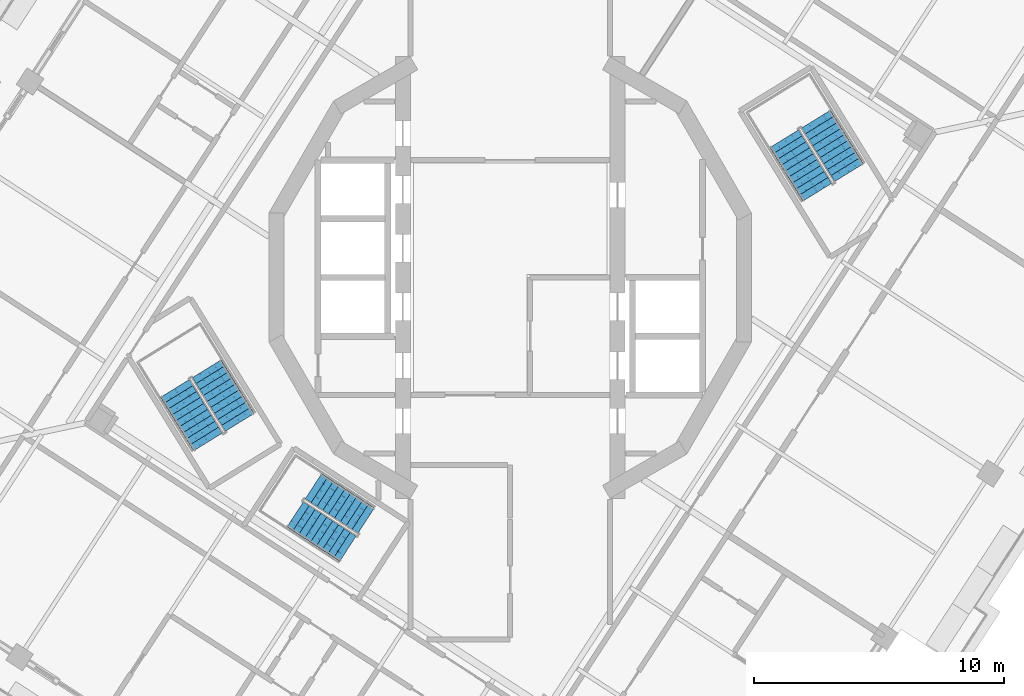
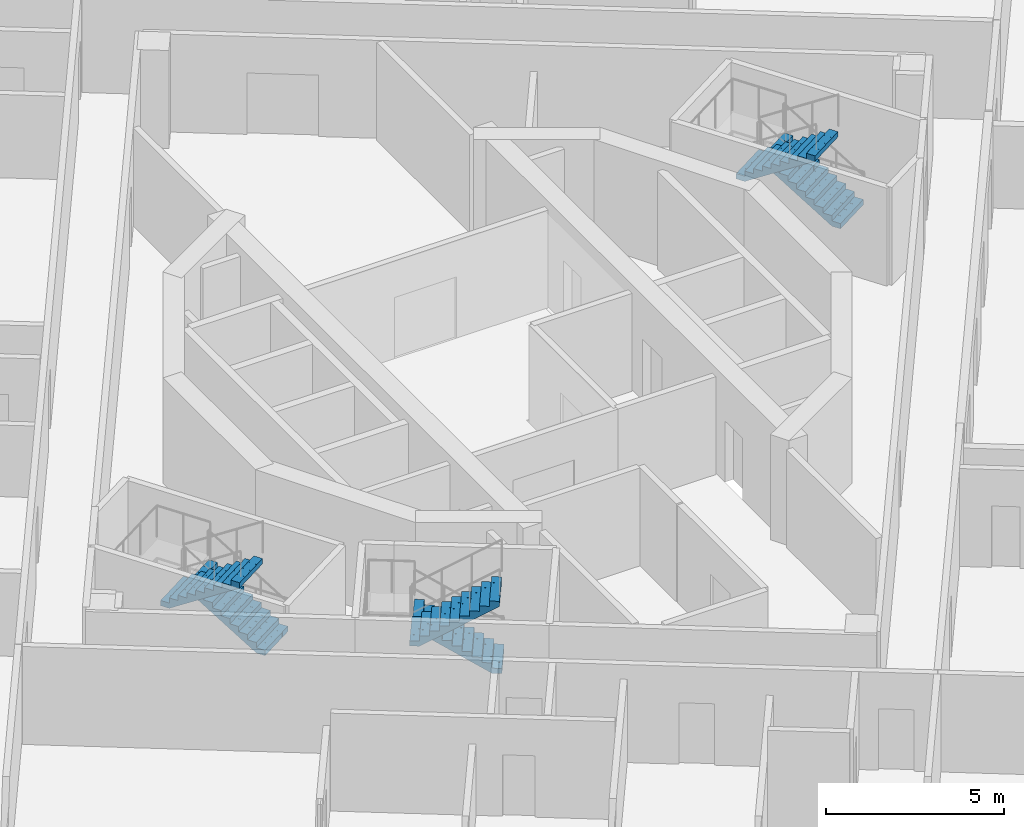
# One storey, part 10 of 15: 6 stair flights, 3 elements without a shape of their own.
"""IFC4 building model written with IfcOpenShell, lengths in metres."""

from ifc_helpers import new_model, si_unit, direction, frame, origin, place, context, subcontext, project, spatial, polyline, outline, extrude, material, type_object, element, aggregate, save


model = new_model("IFC4")

# Units and contexts
model_context = context("Model", 3, precision=1e-05, world=origin(), true_north=direction((0.0, 1.0)))
body_context = subcontext(model_context, "Body", "Model", "MODEL_VIEW")
ifc_project = project(units=[si_unit("LENGTHUNIT", "METRE"), si_unit("AREAUNIT", "SQUARE_METRE"), si_unit("VOLUMEUNIT", "CUBIC_METRE"), si_unit("PLANEANGLEUNIT", "RADIAN"), si_unit("MASSUNIT", "GRAM", prefix="KILO")], contexts=[model_context])

# Site, building, storey
site_placement = place(None, origin())
site = spatial("IfcSite", under=ifc_project, at=site_placement, CompositionType="ELEMENT")
building_placement = place(site_placement, origin())
building = spatial("IfcBuilding", under=site, at=building_placement, Name="Cantera Rosa Tower", CompositionType="ELEMENT")
storey_placement = place(building_placement, frame((0.0, 0.0, 261.300048828125)))
storey = spatial("IfcBuildingStorey", under=building, at=storey_placement, Name="L58", CompositionType="ELEMENT", Elevation=261.300048828125)

# Stair, stair flights
ifc_material_1 = material(Name="Concrete C35/45", Category="concrete")
stair_type_1 = type_object("IfcStairType", Name="EXIT STAIR 1200 DOGLEG", PredefinedType="HALF_TURN_STAIR", material=ifc_material_1)
stair_1_placement = place(storey_placement, origin())
stair_1 = element("IfcStair", 1, at=stair_1_placement, inside=storey, type_object=stair_type_1, Name="L58 ST-53", PredefinedType="HALF_TURN_STAIR")
ifc_material_2 = material(Name="Concrete C35/45", Category="concrete")
stair_flight_type_1 = type_object("IfcStairFlightType", Name="STAIR FLIGHT 1200 R20x180", PredefinedType="STRAIGHT", material=ifc_material_2)
stair_flight_1_placement = place(storey_placement, frame((-5.76318359375, -9.728271484375, 0.0), z_axis=(0.0, 0.0, 1.0), x_axis=(-0.838670567945, 0.544639035015, 0.0)))
stair_flight_1 = element("IfcStairFlight", 2, at=stair_flight_1_placement, type_object=stair_flight_type_1, Name="ST-53 flight 1", NumberOfRisers=10, NumberOfTreads=9, PredefinedType="STRAIGHT", RiserHeight=0.18, TreadLength=0.28, context=body_context, shape_type="SweptSolid", body=[
    extrude(outline(polyline([(0.0, 0.0), (0.0, 0.179931640625), (0.280029296875, 0.179931640625), (0.280029296875, 0.360107421875), (0.56005859375, 0.360107421875), (0.56005859375, 0.5400390625), (0.840087890625, 0.5400390625), (0.840087890625, 0.719970703125), (1.1201171875, 0.719970703125), (1.1201171875, 0.89990234375), (1.39990234375, 0.89990234375), (1.39990234375, 1.080078125), (1.679931640625, 1.080078125), (1.679931640625, 1.260009765625), (1.9599609375, 1.260009765625), (1.9599609375, 1.43994140625), (2.239990234375, 1.43994140625), (2.239990234375, 1.6201171875), (2.52001953125, 1.6201171875), (2.52001953125, 1.800048828125), (2.52001953125, 1.44189453125), (0.277099609375, 0.0), (0.0, 0.0)])), frame((0.0, 0.60009765625, 0.0), z_axis=(0.0, -1.0, 0.0), x_axis=(1.0, 0.0, 0.0)), (0.0, 0.0, 1.0), 0.298583984375),
    extrude(outline(polyline([(0.0, 0.0), (0.0, 0.179931640625), (0.280029296875, 0.179931640625), (0.280029296875, 0.360107421875), (0.56005859375, 0.360107421875), (0.56005859375, 0.5400390625), (0.840087890625, 0.5400390625), (0.840087890625, 0.719970703125), (1.1201171875, 0.719970703125), (1.1201171875, 0.89990234375), (1.39990234375, 0.89990234375), (1.39990234375, 1.080078125), (1.679931640625, 1.080078125), (1.679931640625, 1.260009765625), (1.9599609375, 1.260009765625), (1.9599609375, 1.43994140625), (2.239990234375, 1.43994140625), (2.239990234375, 1.6201171875), (2.52001953125, 1.6201171875), (2.52001953125, 1.800048828125), (2.52001953125, 1.44189453125), (0.277099609375, 0.0), (0.0, 0.0)])), frame((0.0, 0.29931640625, 0.0), z_axis=(0.0, -1.0, 0.0), x_axis=(1.0, 0.0, 0.0)), (0.0, 0.0, 1.0), 0.298583984375),
    extrude(outline(polyline([(0.0, 0.0), (0.0, 0.179931640625), (0.280029296875, 0.179931640625), (0.280029296875, 0.360107421875), (0.56005859375, 0.360107421875), (0.56005859375, 0.5400390625), (0.840087890625, 0.5400390625), (0.840087890625, 0.719970703125), (1.1201171875, 0.719970703125), (1.1201171875, 0.89990234375), (1.39990234375, 0.89990234375), (1.39990234375, 1.080078125), (1.679931640625, 1.080078125), (1.679931640625, 1.260009765625), (1.9599609375, 1.260009765625), (1.9599609375, 1.43994140625), (2.239990234375, 1.43994140625), (2.239990234375, 1.6201171875), (2.52001953125, 1.6201171875), (2.52001953125, 1.800048828125), (2.52001953125, 1.44189453125), (0.277099609375, 0.0), (0.0, 0.0)])), frame((0.0, -0.0009765625, 0.0), z_axis=(0.0, -1.0, 0.0), x_axis=(1.0, 0.0, 0.0)), (0.0, 0.0, 1.0), 0.298583984375),
    extrude(outline(polyline([(0.0, 0.0), (0.0, 0.179931640625), (0.280029296875, 0.179931640625), (0.280029296875, 0.360107421875), (0.56005859375, 0.360107421875), (0.56005859375, 0.5400390625), (0.840087890625, 0.5400390625), (0.840087890625, 0.719970703125), (1.1201171875, 0.719970703125), (1.1201171875, 0.89990234375), (1.39990234375, 0.89990234375), (1.39990234375, 1.080078125), (1.679931640625, 1.080078125), (1.679931640625, 1.260009765625), (1.9599609375, 1.260009765625), (1.9599609375, 1.43994140625), (2.239990234375, 1.43994140625), (2.239990234375, 1.6201171875), (2.52001953125, 1.6201171875), (2.52001953125, 1.800048828125), (2.52001953125, 1.44189453125), (0.277099609375, 0.0), (0.0, 0.0)])), frame((0.0, -0.3017578125, 0.0), z_axis=(0.0, -1.0, 0.0), x_axis=(1.0, 0.0, 0.0)), (0.0, 0.0, 1.0), 0.298583984375),
])
stair_flight_2_placement = place(storey_placement, frame((-8.61181640625, -9.488037109375, 1.800048828125), z_axis=(0.0, 0.0, 1.0), x_axis=(0.838670567945, -0.544639035015, 0.0)))
stair_flight_2 = element("IfcStairFlight", 3, at=stair_flight_2_placement, type_object=stair_flight_type_1, Name="ST-53 flight 2", NumberOfRisers=10, NumberOfTreads=9, PredefinedType="STRAIGHT", RiserHeight=0.18, TreadLength=0.28, context=body_context, shape_type="SweptSolid", body=[
    extrude(outline(polyline([(0.0, 0.0), (0.0, 0.179931640625), (0.280029296875, 0.179931640625), (0.280029296875, 0.360107421875), (0.56005859375, 0.360107421875), (0.56005859375, 0.5400390625), (0.840087890625, 0.5400390625), (0.840087890625, 0.719970703125), (1.1201171875, 0.719970703125), (1.1201171875, 0.89990234375), (1.39990234375, 0.89990234375), (1.39990234375, 1.080078125), (1.679931640625, 1.080078125), (1.679931640625, 1.260009765625), (1.9599609375, 1.260009765625), (1.9599609375, 1.43994140625), (2.239990234375, 1.43994140625), (2.239990234375, 1.6201171875), (2.52001953125, 1.6201171875), (2.52001953125, 1.800048828125), (2.52001953125, 1.44189453125), (0.277099609375, 0.0), (0.0, 0.0)])), frame((0.0, 0.60009765625, 0.0), z_axis=(0.0, -1.0, 0.0), x_axis=(1.0, 0.0, 0.0)), (0.0, 0.0, 1.0), 0.298583984375),
    extrude(outline(polyline([(0.0, 0.0), (0.0, 0.179931640625), (0.280029296875, 0.179931640625), (0.280029296875, 0.360107421875), (0.56005859375, 0.360107421875), (0.56005859375, 0.5400390625), (0.840087890625, 0.5400390625), (0.840087890625, 0.719970703125), (1.1201171875, 0.719970703125), (1.1201171875, 0.89990234375), (1.39990234375, 0.89990234375), (1.39990234375, 1.080078125), (1.679931640625, 1.080078125), (1.679931640625, 1.260009765625), (1.9599609375, 1.260009765625), (1.9599609375, 1.43994140625), (2.239990234375, 1.43994140625), (2.239990234375, 1.6201171875), (2.52001953125, 1.6201171875), (2.52001953125, 1.800048828125), (2.52001953125, 1.44189453125), (0.277099609375, 0.0), (0.0, 0.0)])), frame((0.0, 0.29931640625, 0.0), z_axis=(0.0, -1.0, 0.0), x_axis=(1.0, 0.0, 0.0)), (0.0, 0.0, 1.0), 0.298583984375),
    extrude(outline(polyline([(0.0, 0.0), (0.0, 0.179931640625), (0.280029296875, 0.179931640625), (0.280029296875, 0.360107421875), (0.56005859375, 0.360107421875), (0.56005859375, 0.5400390625), (0.840087890625, 0.5400390625), (0.840087890625, 0.719970703125), (1.1201171875, 0.719970703125), (1.1201171875, 0.89990234375), (1.39990234375, 0.89990234375), (1.39990234375, 1.080078125), (1.679931640625, 1.080078125), (1.679931640625, 1.260009765625), (1.9599609375, 1.260009765625), (1.9599609375, 1.43994140625), (2.239990234375, 1.43994140625), (2.239990234375, 1.6201171875), (2.52001953125, 1.6201171875), (2.52001953125, 1.800048828125), (2.52001953125, 1.44189453125), (0.277099609375, 0.0), (0.0, 0.0)])), frame((0.0, -0.0009765625, 0.0), z_axis=(0.0, -1.0, 0.0), x_axis=(1.0, 0.0, 0.0)), (0.0, 0.0, 1.0), 0.298583984375),
    extrude(outline(polyline([(0.0, 0.0), (0.0, 0.179931640625), (0.280029296875, 0.179931640625), (0.280029296875, 0.360107421875), (0.56005859375, 0.360107421875), (0.56005859375, 0.5400390625), (0.840087890625, 0.5400390625), (0.840087890625, 0.719970703125), (1.1201171875, 0.719970703125), (1.1201171875, 0.89990234375), (1.39990234375, 0.89990234375), (1.39990234375, 1.080078125), (1.679931640625, 1.080078125), (1.679931640625, 1.260009765625), (1.9599609375, 1.260009765625), (1.9599609375, 1.43994140625), (2.239990234375, 1.43994140625), (2.239990234375, 1.6201171875), (2.52001953125, 1.6201171875), (2.52001953125, 1.800048828125), (2.52001953125, 1.44189453125), (0.277099609375, 0.0), (0.0, 0.0)])), frame((0.0, -0.3017578125, 0.0), z_axis=(0.0, -1.0, 0.0), x_axis=(1.0, 0.0, 0.0)), (0.0, 0.0, 1.0), 0.298583984375),
])
aggregate(stair_1, [stair_flight_1, stair_flight_2])

ifc_material_3 = material(Name="Concrete C35/45", Category="concrete")
stair_type_2 = type_object("IfcStairType", Name="EXIT STAIR 1350 DOGLEG", PredefinedType="HALF_TURN_STAIR", material=ifc_material_3)
stair_2_placement = place(storey_placement, origin())
stair_2 = element("IfcStair", 4, at=stair_2_placement, inside=storey, type_object=stair_type_2, Name="L58 ST-51", PredefinedType="HALF_TURN_STAIR")
ifc_material_4 = material(Name="Concrete C35/45", Category="concrete")
stair_flight_type_2 = type_object("IfcStairFlightType", Name="STAIR FLIGHT 1350 R20x180", PredefinedType="STRAIGHT", material=ifc_material_4)
stair_flight_3_placement = place(storey_placement, frame((13.5732421875, 4.2021484375, 0.0), z_axis=(0.0, 0.0, 1.0), x_axis=(-0.524976585286, 0.851116669383, 0.0)))
stair_flight_3 = element("IfcStairFlight", 5, at=stair_flight_3_placement, type_object=stair_flight_type_2, Name="ST-51 flight 1", NumberOfRisers=10, NumberOfTreads=9, PredefinedType="STRAIGHT", RiserHeight=0.18, TreadLength=0.28, context=body_context, shape_type="SweptSolid", body=[
    extrude(outline(polyline([(0.0, 0.0), (0.0, 0.179931640625), (0.280029296875, 0.179931640625), (0.280029296875, 0.360107421875), (0.56005859375, 0.360107421875), (0.56005859375, 0.5400390625), (0.840087890625, 0.5400390625), (0.840087890625, 0.719970703125), (1.1201171875, 0.719970703125), (1.1201171875, 0.89990234375), (1.39990234375, 0.89990234375), (1.39990234375, 1.080078125), (1.679931640625, 1.080078125), (1.679931640625, 1.260009765625), (1.9599609375, 1.260009765625), (1.9599609375, 1.43994140625), (2.239990234375, 1.43994140625), (2.239990234375, 1.6201171875), (2.52001953125, 1.6201171875), (2.52001953125, 1.800048828125), (2.52001953125, 1.44189453125), (0.277099609375, 0.0), (0.0, 0.0)])), frame((0.0, 0.675048828125, 0.0), z_axis=(0.0, -1.0, 0.0), x_axis=(1.0, 0.0, 0.0)), (0.0, 0.0, 1.0), 0.3359375),
    extrude(outline(polyline([(0.0, 0.0), (0.0, 0.179931640625), (0.280029296875, 0.179931640625), (0.280029296875, 0.360107421875), (0.56005859375, 0.360107421875), (0.56005859375, 0.5400390625), (0.840087890625, 0.5400390625), (0.840087890625, 0.719970703125), (1.1201171875, 0.719970703125), (1.1201171875, 0.89990234375), (1.39990234375, 0.89990234375), (1.39990234375, 1.080078125), (1.679931640625, 1.080078125), (1.679931640625, 1.260009765625), (1.9599609375, 1.260009765625), (1.9599609375, 1.43994140625), (2.239990234375, 1.43994140625), (2.239990234375, 1.6201171875), (2.52001953125, 1.6201171875), (2.52001953125, 1.800048828125), (2.52001953125, 1.44189453125), (0.277099609375, 0.0), (0.0, 0.0)])), frame((0.0, 0.337158203125, 0.0), z_axis=(0.0, -1.0, 0.0), x_axis=(1.0, 0.0, 0.0)), (0.0, 0.0, 1.0), 0.3359375),
    extrude(outline(polyline([(0.0, 0.0), (0.0, 0.179931640625), (0.280029296875, 0.179931640625), (0.280029296875, 0.360107421875), (0.56005859375, 0.360107421875), (0.56005859375, 0.5400390625), (0.840087890625, 0.5400390625), (0.840087890625, 0.719970703125), (1.1201171875, 0.719970703125), (1.1201171875, 0.89990234375), (1.39990234375, 0.89990234375), (1.39990234375, 1.080078125), (1.679931640625, 1.080078125), (1.679931640625, 1.260009765625), (1.9599609375, 1.260009765625), (1.9599609375, 1.43994140625), (2.239990234375, 1.43994140625), (2.239990234375, 1.6201171875), (2.52001953125, 1.6201171875), (2.52001953125, 1.800048828125), (2.52001953125, 1.44189453125), (0.277099609375, 0.0), (0.0, 0.0)])), frame((0.0, -0.000732421875, 0.0), z_axis=(0.0, -1.0, 0.0), x_axis=(1.0, 0.0, 0.0)), (0.0, 0.0, 1.0), 0.3359375),
    extrude(outline(polyline([(0.0, 0.0), (0.0, 0.179931640625), (0.280029296875, 0.179931640625), (0.280029296875, 0.360107421875), (0.56005859375, 0.360107421875), (0.56005859375, 0.5400390625), (0.840087890625, 0.5400390625), (0.840087890625, 0.719970703125), (1.1201171875, 0.719970703125), (1.1201171875, 0.89990234375), (1.39990234375, 0.89990234375), (1.39990234375, 1.080078125), (1.679931640625, 1.080078125), (1.679931640625, 1.260009765625), (1.9599609375, 1.260009765625), (1.9599609375, 1.43994140625), (2.239990234375, 1.43994140625), (2.239990234375, 1.6201171875), (2.52001953125, 1.6201171875), (2.52001953125, 1.800048828125), (2.52001953125, 1.44189453125), (0.277099609375, 0.0), (0.0, 0.0)])), frame((0.0, -0.338623046875, 0.0), z_axis=(0.0, -1.0, 0.0), x_axis=(1.0, 0.0, 0.0)), (0.0, 0.0, 1.0), 0.3359375),
])
stair_flight_4_placement = place(storey_placement, frame((10.9736328125, 5.5595703125, 1.800048828125), z_axis=(0.0, 0.0, 1.0), x_axis=(0.524976585286, -0.851116669383, 0.0)))
stair_flight_4 = element("IfcStairFlight", 6, at=stair_flight_4_placement, type_object=stair_flight_type_2, Name="ST-51 flight 2", NumberOfRisers=10, NumberOfTreads=9, PredefinedType="STRAIGHT", RiserHeight=0.18, TreadLength=0.28, context=body_context, shape_type="SweptSolid", body=[
    extrude(outline(polyline([(0.0, 0.0), (0.0, 0.179931640625), (0.280029296875, 0.179931640625), (0.280029296875, 0.360107421875), (0.56005859375, 0.360107421875), (0.56005859375, 0.5400390625), (0.840087890625, 0.5400390625), (0.840087890625, 0.719970703125), (1.1201171875, 0.719970703125), (1.1201171875, 0.89990234375), (1.39990234375, 0.89990234375), (1.39990234375, 1.080078125), (1.679931640625, 1.080078125), (1.679931640625, 1.260009765625), (1.9599609375, 1.260009765625), (1.9599609375, 1.43994140625), (2.239990234375, 1.43994140625), (2.239990234375, 1.6201171875), (2.52001953125, 1.6201171875), (2.52001953125, 1.800048828125), (2.52001953125, 1.44189453125), (0.277099609375, 0.0), (0.0, 0.0)])), frame((0.0, 0.675048828125, 0.0), z_axis=(0.0, -1.0, 0.0), x_axis=(1.0, 0.0, 0.0)), (0.0, 0.0, 1.0), 0.3359375),
    extrude(outline(polyline([(0.0, 0.0), (0.0, 0.179931640625), (0.280029296875, 0.179931640625), (0.280029296875, 0.360107421875), (0.56005859375, 0.360107421875), (0.56005859375, 0.5400390625), (0.840087890625, 0.5400390625), (0.840087890625, 0.719970703125), (1.1201171875, 0.719970703125), (1.1201171875, 0.89990234375), (1.39990234375, 0.89990234375), (1.39990234375, 1.080078125), (1.679931640625, 1.080078125), (1.679931640625, 1.260009765625), (1.9599609375, 1.260009765625), (1.9599609375, 1.43994140625), (2.239990234375, 1.43994140625), (2.239990234375, 1.6201171875), (2.52001953125, 1.6201171875), (2.52001953125, 1.800048828125), (2.52001953125, 1.44189453125), (0.277099609375, 0.0), (0.0, 0.0)])), frame((0.0, 0.337158203125, 0.0), z_axis=(0.0, -1.0, 0.0), x_axis=(1.0, 0.0, 0.0)), (0.0, 0.0, 1.0), 0.3359375),
    extrude(outline(polyline([(0.0, 0.0), (0.0, 0.179931640625), (0.280029296875, 0.179931640625), (0.280029296875, 0.360107421875), (0.56005859375, 0.360107421875), (0.56005859375, 0.5400390625), (0.840087890625, 0.5400390625), (0.840087890625, 0.719970703125), (1.1201171875, 0.719970703125), (1.1201171875, 0.89990234375), (1.39990234375, 0.89990234375), (1.39990234375, 1.080078125), (1.679931640625, 1.080078125), (1.679931640625, 1.260009765625), (1.9599609375, 1.260009765625), (1.9599609375, 1.43994140625), (2.239990234375, 1.43994140625), (2.239990234375, 1.6201171875), (2.52001953125, 1.6201171875), (2.52001953125, 1.800048828125), (2.52001953125, 1.44189453125), (0.277099609375, 0.0), (0.0, 0.0)])), frame((0.0, -0.000732421875, 0.0), z_axis=(0.0, -1.0, 0.0), x_axis=(1.0, 0.0, 0.0)), (0.0, 0.0, 1.0), 0.3359375),
    extrude(outline(polyline([(0.0, 0.0), (0.0, 0.179931640625), (0.280029296875, 0.179931640625), (0.280029296875, 0.360107421875), (0.56005859375, 0.360107421875), (0.56005859375, 0.5400390625), (0.840087890625, 0.5400390625), (0.840087890625, 0.719970703125), (1.1201171875, 0.719970703125), (1.1201171875, 0.89990234375), (1.39990234375, 0.89990234375), (1.39990234375, 1.080078125), (1.679931640625, 1.080078125), (1.679931640625, 1.260009765625), (1.9599609375, 1.260009765625), (1.9599609375, 1.43994140625), (2.239990234375, 1.43994140625), (2.239990234375, 1.6201171875), (2.52001953125, 1.6201171875), (2.52001953125, 1.800048828125), (2.52001953125, 1.44189453125), (0.277099609375, 0.0), (0.0, 0.0)])), frame((0.0, -0.338623046875, 0.0), z_axis=(0.0, -1.0, 0.0), x_axis=(1.0, 0.0, 0.0)), (0.0, 0.0, 1.0), 0.3359375),
])
aggregate(stair_2, [stair_flight_3, stair_flight_4])

stair_3_placement = place(storey_placement, origin())
stair_3 = element("IfcStair", 7, at=stair_3_placement, inside=storey, type_object=stair_type_2, Name="L58 ST-52", PredefinedType="HALF_TURN_STAIR")
stair_flight_5_placement = place(storey_placement, frame((-10.82666015625, -5.7978515625, 0.0), z_axis=(0.0, 0.0, 1.0), x_axis=(-0.524976585286, 0.851116669383, 0.0)))
stair_flight_5 = element("IfcStairFlight", 8, at=stair_flight_5_placement, type_object=stair_flight_type_2, Name="ST-52 flight 1", NumberOfRisers=10, NumberOfTreads=9, PredefinedType="STRAIGHT", RiserHeight=0.18, TreadLength=0.28, context=body_context, shape_type="SweptSolid", body=[
    extrude(outline(polyline([(0.0, 0.0), (0.0, 0.179931640625), (0.280029296875, 0.179931640625), (0.280029296875, 0.360107421875), (0.56005859375, 0.360107421875), (0.56005859375, 0.5400390625), (0.840087890625, 0.5400390625), (0.840087890625, 0.719970703125), (1.1201171875, 0.719970703125), (1.1201171875, 0.89990234375), (1.39990234375, 0.89990234375), (1.39990234375, 1.080078125), (1.679931640625, 1.080078125), (1.679931640625, 1.260009765625), (1.9599609375, 1.260009765625), (1.9599609375, 1.43994140625), (2.239990234375, 1.43994140625), (2.239990234375, 1.6201171875), (2.52001953125, 1.6201171875), (2.52001953125, 1.800048828125), (2.52001953125, 1.44189453125), (0.277099609375, 0.0), (0.0, 0.0)])), frame((0.0, 0.675048828125, 0.0), z_axis=(0.0, -1.0, 0.0), x_axis=(1.0, 0.0, 0.0)), (0.0, 0.0, 1.0), 0.3359375),
    extrude(outline(polyline([(0.0, 0.0), (0.0, 0.179931640625), (0.280029296875, 0.179931640625), (0.280029296875, 0.360107421875), (0.56005859375, 0.360107421875), (0.56005859375, 0.5400390625), (0.840087890625, 0.5400390625), (0.840087890625, 0.719970703125), (1.1201171875, 0.719970703125), (1.1201171875, 0.89990234375), (1.39990234375, 0.89990234375), (1.39990234375, 1.080078125), (1.679931640625, 1.080078125), (1.679931640625, 1.260009765625), (1.9599609375, 1.260009765625), (1.9599609375, 1.43994140625), (2.239990234375, 1.43994140625), (2.239990234375, 1.6201171875), (2.52001953125, 1.6201171875), (2.52001953125, 1.800048828125), (2.52001953125, 1.44189453125), (0.277099609375, 0.0), (0.0, 0.0)])), frame((0.0, 0.337158203125, 0.0), z_axis=(0.0, -1.0, 0.0), x_axis=(1.0, 0.0, 0.0)), (0.0, 0.0, 1.0), 0.3359375),
    extrude(outline(polyline([(0.0, 0.0), (0.0, 0.179931640625), (0.280029296875, 0.179931640625), (0.280029296875, 0.360107421875), (0.56005859375, 0.360107421875), (0.56005859375, 0.5400390625), (0.840087890625, 0.5400390625), (0.840087890625, 0.719970703125), (1.1201171875, 0.719970703125), (1.1201171875, 0.89990234375), (1.39990234375, 0.89990234375), (1.39990234375, 1.080078125), (1.679931640625, 1.080078125), (1.679931640625, 1.260009765625), (1.9599609375, 1.260009765625), (1.9599609375, 1.43994140625), (2.239990234375, 1.43994140625), (2.239990234375, 1.6201171875), (2.52001953125, 1.6201171875), (2.52001953125, 1.800048828125), (2.52001953125, 1.44189453125), (0.277099609375, 0.0), (0.0, 0.0)])), frame((0.0, -0.000732421875, 0.0), z_axis=(0.0, -1.0, 0.0), x_axis=(1.0, 0.0, 0.0)), (0.0, 0.0, 1.0), 0.3359375),
    extrude(outline(polyline([(0.0, 0.0), (0.0, 0.179931640625), (0.280029296875, 0.179931640625), (0.280029296875, 0.360107421875), (0.56005859375, 0.360107421875), (0.56005859375, 0.5400390625), (0.840087890625, 0.5400390625), (0.840087890625, 0.719970703125), (1.1201171875, 0.719970703125), (1.1201171875, 0.89990234375), (1.39990234375, 0.89990234375), (1.39990234375, 1.080078125), (1.679931640625, 1.080078125), (1.679931640625, 1.260009765625), (1.9599609375, 1.260009765625), (1.9599609375, 1.43994140625), (2.239990234375, 1.43994140625), (2.239990234375, 1.6201171875), (2.52001953125, 1.6201171875), (2.52001953125, 1.800048828125), (2.52001953125, 1.44189453125), (0.277099609375, 0.0), (0.0, 0.0)])), frame((0.0, -0.338623046875, 0.0), z_axis=(0.0, -1.0, 0.0), x_axis=(1.0, 0.0, 0.0)), (0.0, 0.0, 1.0), 0.3359375),
])
stair_flight_6_placement = place(storey_placement, frame((-13.42626953125, -4.4404296875, 1.800048828125), z_axis=(0.0, 0.0, 1.0), x_axis=(0.524976585286, -0.851116669383, 0.0)))
stair_flight_6 = element("IfcStairFlight", 9, at=stair_flight_6_placement, type_object=stair_flight_type_2, Name="ST-52 flight 2", NumberOfRisers=10, NumberOfTreads=9, PredefinedType="STRAIGHT", RiserHeight=0.18, TreadLength=0.28, context=body_context, shape_type="SweptSolid", body=[
    extrude(outline(polyline([(0.0, 0.0), (0.0, 0.179931640625), (0.280029296875, 0.179931640625), (0.280029296875, 0.360107421875), (0.56005859375, 0.360107421875), (0.56005859375, 0.5400390625), (0.840087890625, 0.5400390625), (0.840087890625, 0.719970703125), (1.1201171875, 0.719970703125), (1.1201171875, 0.89990234375), (1.39990234375, 0.89990234375), (1.39990234375, 1.080078125), (1.679931640625, 1.080078125), (1.679931640625, 1.260009765625), (1.9599609375, 1.260009765625), (1.9599609375, 1.43994140625), (2.239990234375, 1.43994140625), (2.239990234375, 1.6201171875), (2.52001953125, 1.6201171875), (2.52001953125, 1.800048828125), (2.52001953125, 1.44189453125), (0.277099609375, 0.0), (0.0, 0.0)])), frame((0.0, 0.675048828125, 0.0), z_axis=(0.0, -1.0, 0.0), x_axis=(1.0, 0.0, 0.0)), (0.0, 0.0, 1.0), 0.3359375),
    extrude(outline(polyline([(0.0, 0.0), (0.0, 0.179931640625), (0.280029296875, 0.179931640625), (0.280029296875, 0.360107421875), (0.56005859375, 0.360107421875), (0.56005859375, 0.5400390625), (0.840087890625, 0.5400390625), (0.840087890625, 0.719970703125), (1.1201171875, 0.719970703125), (1.1201171875, 0.89990234375), (1.39990234375, 0.89990234375), (1.39990234375, 1.080078125), (1.679931640625, 1.080078125), (1.679931640625, 1.260009765625), (1.9599609375, 1.260009765625), (1.9599609375, 1.43994140625), (2.239990234375, 1.43994140625), (2.239990234375, 1.6201171875), (2.52001953125, 1.6201171875), (2.52001953125, 1.800048828125), (2.52001953125, 1.44189453125), (0.277099609375, 0.0), (0.0, 0.0)])), frame((0.0, 0.337158203125, 0.0), z_axis=(0.0, -1.0, 0.0), x_axis=(1.0, 0.0, 0.0)), (0.0, 0.0, 1.0), 0.3359375),
    extrude(outline(polyline([(0.0, 0.0), (0.0, 0.179931640625), (0.280029296875, 0.179931640625), (0.280029296875, 0.360107421875), (0.56005859375, 0.360107421875), (0.56005859375, 0.5400390625), (0.840087890625, 0.5400390625), (0.840087890625, 0.719970703125), (1.1201171875, 0.719970703125), (1.1201171875, 0.89990234375), (1.39990234375, 0.89990234375), (1.39990234375, 1.080078125), (1.679931640625, 1.080078125), (1.679931640625, 1.260009765625), (1.9599609375, 1.260009765625), (1.9599609375, 1.43994140625), (2.239990234375, 1.43994140625), (2.239990234375, 1.6201171875), (2.52001953125, 1.6201171875), (2.52001953125, 1.800048828125), (2.52001953125, 1.44189453125), (0.277099609375, 0.0), (0.0, 0.0)])), frame((0.0, -0.000732421875, 0.0), z_axis=(0.0, -1.0, 0.0), x_axis=(1.0, 0.0, 0.0)), (0.0, 0.0, 1.0), 0.3359375),
    extrude(outline(polyline([(0.0, 0.0), (0.0, 0.179931640625), (0.280029296875, 0.179931640625), (0.280029296875, 0.360107421875), (0.56005859375, 0.360107421875), (0.56005859375, 0.5400390625), (0.840087890625, 0.5400390625), (0.840087890625, 0.719970703125), (1.1201171875, 0.719970703125), (1.1201171875, 0.89990234375), (1.39990234375, 0.89990234375), (1.39990234375, 1.080078125), (1.679931640625, 1.080078125), (1.679931640625, 1.260009765625), (1.9599609375, 1.260009765625), (1.9599609375, 1.43994140625), (2.239990234375, 1.43994140625), (2.239990234375, 1.6201171875), (2.52001953125, 1.6201171875), (2.52001953125, 1.800048828125), (2.52001953125, 1.44189453125), (0.277099609375, 0.0), (0.0, 0.0)])), frame((0.0, -0.338623046875, 0.0), z_axis=(0.0, -1.0, 0.0), x_axis=(1.0, 0.0, 0.0)), (0.0, 0.0, 1.0), 0.3359375),
])
aggregate(stair_3, [stair_flight_5, stair_flight_6])

save(model, "model.ifc")
